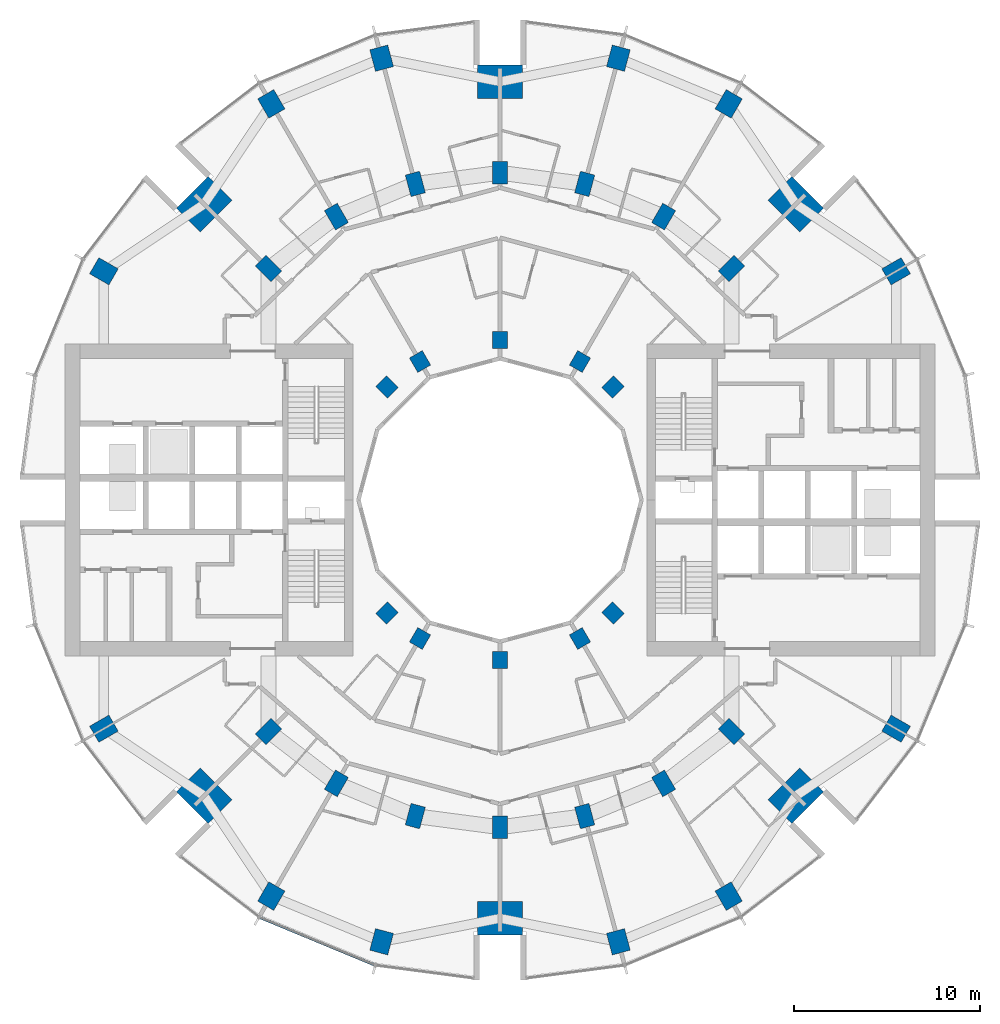
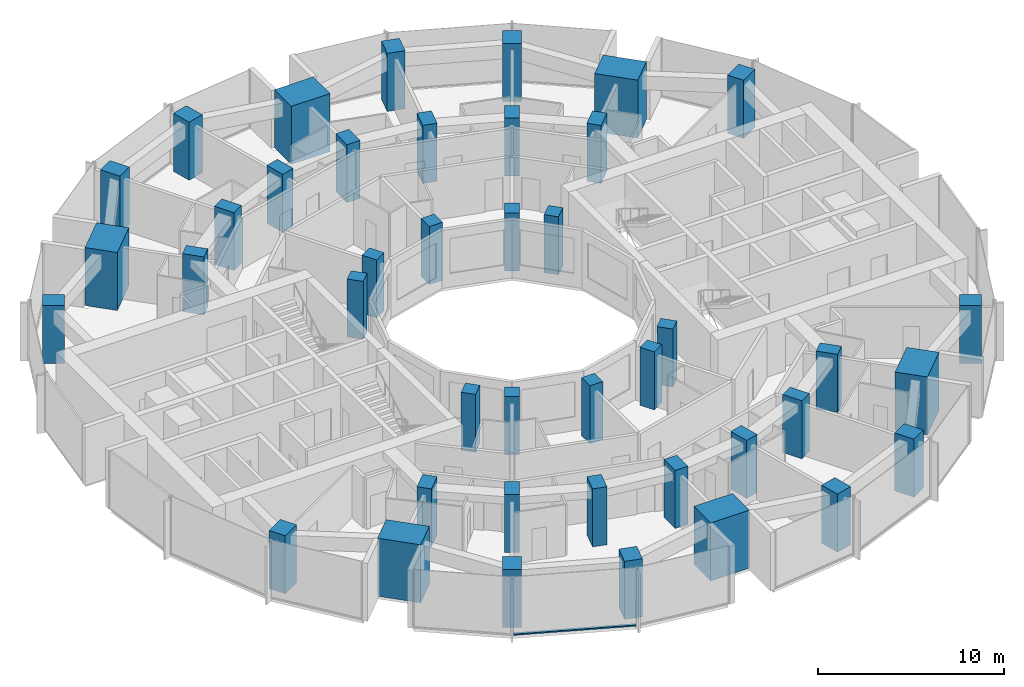
# One storey, part 1 of 15: 42 columns, 1 member, 1 element without a shape of its own.
"""IFC4 building model written with IfcOpenShell, lengths in metres."""

from ifc_helpers import new_model, si_unit, direction, frame, origin, origin_2d, place, context, subcontext, project, spatial, rectangle, extrude, material, layer, layer_set, material_profile, profile_set, type_object, element, aggregate, save


model = new_model("IFC4")

# Units and contexts
model_context = context("Model", 3, precision=1e-05, world=origin(), true_north=direction((0.0, 1.0)))
body_context = subcontext(model_context, "Body", "Model", "MODEL_VIEW")
ifc_project = project(units=[si_unit("LENGTHUNIT", "METRE"), si_unit("AREAUNIT", "SQUARE_METRE"), si_unit("VOLUMEUNIT", "CUBIC_METRE"), si_unit("PLANEANGLEUNIT", "RADIAN"), si_unit("MASSUNIT", "GRAM", prefix="KILO")], contexts=[model_context])

# Site, building, storey
site_placement = place(None, origin())
site = spatial("IfcSite", under=ifc_project, at=site_placement, CompositionType="ELEMENT")
building_placement = place(site_placement, origin())
building = spatial("IfcBuilding", under=site, at=building_placement, Name="Torre Brocal", CompositionType="ELEMENT")
storey_placement = place(building_placement, frame((0.0, 0.0, 32.60009765625)))
storey = spatial("IfcBuildingStorey", under=building, at=storey_placement, Name="L06", CompositionType="ELEMENT", Elevation=32.60009765625)

# Columns
ifc_material_1 = material(Name="Concrete C80", Category="concrete")
ifc_material_profile_1 = material_profile(ifc_material_1, rectangle(XDim=1.199951171875, YDim=1.0, at=origin_2d()), Name="RC 1200X1000")
ifc_profile_set_1 = profile_set([ifc_material_profile_1], Name="Concrete C80")
column_type_1 = type_object("IfcColumnType", Name="RC COLUMN 1200X1000 C80", PredefinedType="COLUMN", material=ifc_profile_set_1)
for number, where, z_axis, x_axis, name in (
    (1, (101.30419921875, 87.300048828125, 0.0), (0.0, 0.0, 1.0), (0.866025403784, 0.5, 0.0), "Column C-O02"),
    (2, (92.300048828125, 96.30419921875, 0.0), (0.0, 0.0, 1.0), (0.5, 0.866025403784, 0.0), "Column C-O04"),
    (3, (86.366943359375, 98.76171875, 0.0), (0.0, 0.0, 1.0), (0.258819045103, 0.965925826289, 0.0), "Column C-O05"),
    (4, (73.633056640625, 98.76171875, 0.0), (0.0, 0.0, 1.0), (-0.258819045103, 0.965925826289, 0.0), "Column C-O07"),
    (5, (67.699951171875, 96.30419921875, 0.0), (0.0, 0.0, 1.0), (-0.5, 0.866025403784, 0.0), "Column C-O08"),
    (6, (58.69580078125, 87.300048828125, 0.0), (0.0, 0.0, 1.0), (-0.866025403784, 0.5, 0.0), "Column C-O10"),
    (7, (58.69580078125, 62.699951171875, 0.0), (0.0, 0.0, 1.0), (-0.866025403784, -0.5, 0.0), "Column C-O14"),
    (8, (67.699951171875, 53.69580078125, 0.0), (0.0, 0.0, 1.0), (-0.5, -0.866025403784, 0.0), "Column C-O16"),
    (9, (73.633056640625, 51.23828125, 0.0), (0.0, 0.0, 1.0), (-0.258819045103, -0.965925826289, 0.0), "Column C-O17"),
    (10, (86.366943359375, 51.23828125, 0.0), (0.0, 0.0, 1.0), (0.258819045103, -0.965925826289, 0.0), "Column C-O19"),
    (11, (92.300048828125, 53.69580078125, 0.0), (0.0, 0.0, 1.0), (0.5, -0.866025403784, 0.0), "Column C-O20"),
    (12, (101.30419921875, 62.699951171875, 0.0), (0.0, 0.0, 1.0), (0.866025403784, -0.5, 0.0), "Column C-O22"),
):
    element("IfcColumn", number, at=place(storey_placement, frame(where, z_axis=z_axis, x_axis=x_axis)), inside=storey, type_object=column_type_1, Name=name, PredefinedType="COLUMN", context=body_context, shape_type="SweptSolid", body=[
        extrude(rectangle(XDim=1.199951171875, YDim=1.0, at=origin_2d()), origin(), (0.0, 0.0, 1.0), 3.7998046875),
    ])
ifc_material_2 = material(Name="Concrete C80", Category="concrete")
ifc_material_profile_2 = material_profile(ifc_material_2, rectangle(XDim=1.199951171875, YDim=0.800048828125, at=origin_2d()), Name="RC 1200X800")
ifc_profile_set_2 = profile_set([ifc_material_profile_2], Name="Concrete C80")
column_type_2 = type_object("IfcColumnType", Name="RC COLUMN 1200X800 C80", PredefinedType="COLUMN", material=ifc_profile_set_2)
for number, where, z_axis, x_axis, name in (
    (13, (92.445068359375, 87.445068359375, 0.0), (0.0, 0.0, 1.0), (0.707106781187, 0.707106781187, 0.0), "Column C-M03"),
    (14, (88.800048828125, 90.241943359375, 0.0), (0.0, 0.0, 1.0), (0.5, 0.866025403784, 0.0), "Column C-M04"),
    (15, (84.55517578125, 92.000244140625, 0.0), (0.0, 0.0, 1.0), (0.258819045103, 0.965925826289, 0.0), "Column C-M05"),
    (16, (80.0, 92.60009765625, 0.0), (0.0, 0.0, 1.0), (0.0, 1.0, 0.0), "Column C-M06"),
    (17, (75.44482421875, 92.000244140625, 0.0), (0.0, 0.0, 1.0), (-0.258819045103, 0.965925826289, 0.0), "Column C-M07"),
    (18, (71.199951171875, 90.241943359375, 0.0), (0.0, 0.0, 1.0), (-0.5, 0.866025403784, 0.0), "Column C-M08"),
    (19, (67.554931640625, 87.445068359375, 0.0), (0.0, 0.0, 1.0), (-0.707106781187, 0.707106781187, 0.0), "Column C-M09"),
    (20, (67.554931640625, 62.554931640625, 0.0), (0.0, 0.0, 1.0), (-0.707106781187, -0.707106781187, 0.0), "Column C-M15"),
    (21, (71.199951171875, 59.758056640625, 0.0), (0.0, 0.0, 1.0), (-0.5, -0.866025403784, 0.0), "Column C-M16"),
    (22, (75.44482421875, 57.999755859375, 0.0), (0.0, 0.0, 1.0), (-0.258819045103, -0.965925826289, 0.0), "Column C-M17"),
    (23, (80.0, 57.39990234375, 0.0), (0.0, 0.0, 1.0), (0.0, -1.0, 0.0), "Column C-M18"),
    (24, (84.55517578125, 57.999755859375, 0.0), (0.0, 0.0, 1.0), (0.258819045103, -0.965925826289, 0.0), "Column C-M19"),
    (25, (88.800048828125, 59.758056640625, 0.0), (0.0, 0.0, 1.0), (0.5, -0.866025403784, 0.0), "Column C-M20"),
    (26, (92.445068359375, 62.554931640625, 0.0), (0.0, 0.0, 1.0), (0.707106781187, -0.707106781187, 0.0), "Column C-M21"),
):
    element("IfcColumn", number, at=place(storey_placement, frame(where, z_axis=z_axis, x_axis=x_axis)), inside=storey, type_object=column_type_2, Name=name, PredefinedType="COLUMN", context=body_context, shape_type="SweptSolid", body=[
        extrude(rectangle(XDim=1.199951171875, YDim=0.800048828125, at=origin_2d()), origin(), (0.0, 0.0, 1.0), 3.7998046875),
    ])
ifc_material_3 = material(Name="Concrete C80", Category="concrete")
ifc_material_profile_3 = material_profile(ifc_material_3, rectangle(XDim=1.800048828125, YDim=2.39990234375, at=origin_2d()), Name="RC 1800X2400")
ifc_profile_set_3 = profile_set([ifc_material_profile_3], Name="Concrete C80")
column_type_3 = type_object("IfcColumnType", Name="RC COLUMN 1800X2400 C80", PredefinedType="COLUMN", material=ifc_profile_set_3)
for number, where, z_axis, x_axis, name in (
    (27, (95.909912109375, 90.909912109375, 0.0), (0.0, 0.0, 1.0), (0.707106781187, 0.707106781187, 0.0), "Column MC-1"),
    (28, (80.0, 97.5, 0.0), (0.0, 0.0, 1.0), (0.0, 1.0, 0.0), "Column MC-2"),
    (29, (64.090087890625, 90.909912109375, 0.0), (0.0, 0.0, 1.0), (-0.707106781187, 0.707106781187, 0.0), "Column MC-3"),
    (30, (64.090087890625, 59.090087890625, 0.0), (0.0, 0.0, 1.0), (-0.707106781187, -0.707106781187, 0.0), "Column MC-5"),
    (31, (80.0, 52.5, 0.0), (0.0, 0.0, 1.0), (0.0, -1.0, 0.0), "Column MC-6"),
    (32, (95.909912109375, 59.090087890625, 0.0), (0.0, 0.0, 1.0), (0.707106781187, -0.707106781187, 0.0), "Column MC-7"),
):
    element("IfcColumn", number, at=place(storey_placement, frame(where, z_axis=z_axis, x_axis=x_axis)), inside=storey, type_object=column_type_3, Name=name, PredefinedType="COLUMN", context=body_context, shape_type="SweptSolid", body=[
        extrude(rectangle(XDim=1.800048828125, YDim=2.39990234375, at=origin_2d()), origin(), (0.0, 0.0, 1.0), 3.7998046875),
    ])
ifc_material_4 = material(Name="Concrete C80", Category="concrete")
ifc_material_profile_4 = material_profile(ifc_material_4, rectangle(XDim=0.89990234375, YDim=0.800048828125, at=origin_2d()), Name="RC 900X800")
ifc_profile_set_4 = profile_set([ifc_material_profile_4], Name="Concrete C80")
column_type_4 = type_object("IfcColumnType", Name="RC COLUMN 900X800 C80", PredefinedType="COLUMN", material=ifc_profile_set_4)
for number, where, z_axis, x_axis, name in (
    (33, (86.0810546875, 81.0810546875, 0.0), (0.0, 0.0, 1.0), (0.707106781187, 0.707106781187, 0.0), "Column C-I03"),
    (34, (84.300048828125, 82.44775390625, 0.0), (0.0, 0.0, 1.0), (0.5, 0.866025403784, 0.0), "Column C-I04"),
    (35, (80.0, 83.60009765625, 0.0), (0.0, 0.0, 1.0), (0.0, 1.0, 0.0), "Column C-I06"),
    (36, (75.699951171875, 82.44775390625, 0.0), (0.0, 0.0, 1.0), (-0.5, 0.866025403784, 0.0), "Column C-I08"),
    (37, (73.9189453125, 81.0810546875, 0.0), (0.0, 0.0, 1.0), (-0.707106781187, 0.707106781187, 0.0), "Column C-I09"),
    (38, (73.9189453125, 68.9189453125, 0.0), (0.0, 0.0, 1.0), (-0.707106781187, -0.707106781187, 0.0), "Column C-I15"),
    (39, (75.699951171875, 67.55224609375, 0.0), (0.0, 0.0, 1.0), (-0.5, -0.866025403784, 0.0), "Column C-I16"),
    (40, (80.0, 66.39990234375, 0.0), (0.0, 0.0, 1.0), (0.0, -1.0, 0.0), "Column C-I18"),
    (41, (84.300048828125, 67.55224609375, 0.0), (0.0, 0.0, 1.0), (0.5, -0.866025403784, 0.0), "Column C-I20"),
    (42, (86.0810546875, 68.9189453125, 0.0), (0.0, 0.0, 1.0), (0.707106781187, -0.707106781187, 0.0), "Column C-I21"),
):
    element("IfcColumn", number, at=place(storey_placement, frame(where, z_axis=z_axis, x_axis=x_axis)), inside=storey, type_object=column_type_4, Name=name, PredefinedType="COLUMN", context=body_context, shape_type="SweptSolid", body=[
        extrude(rectangle(XDim=0.89990234375, YDim=0.800048828125, at=origin_2d()), origin(), (0.0, 0.0, 1.0), 3.7998046875),
    ])

# Curtain wall, member
ifc_material_5 = material(Name="Aluminium and glass", Category="aluminium")
ifc_layer = layer(ifc_material_5, 0.199951171875)
ifc_layer_set = layer_set([ifc_layer], Name="Aluminium and glass")
curtain_wall_type = type_object("IfcCurtainWallType", Name="CW-1 CURTAIN WALL 3800 HIGH", PredefinedType="NOTDEFINED", material=ifc_layer_set)
curtain_wall_placement = place(storey_placement, origin())
curtain_wall = element("IfcCurtainWall", 43, at=curtain_wall_placement, inside=storey, type_object=curtain_wall_type, Name="CW-1 RUN 17", PredefinedType="NOTDEFINED")
ifc_material_6 = material(Name="Aluminium, dark anodised", Category="aluminium")
ifc_material_profile_5 = material_profile(ifc_material_6, rectangle(XDim=0.159912109375, YDim=0.080078125, at=origin_2d()), Name="CW-1 TRANSOM 160X80")
ifc_profile_set_5 = profile_set([ifc_material_profile_5], Name="Aluminium, dark anodised")
member_type = type_object("IfcMemberType", Name="CW-1 TRANSOM 160X80", PredefinedType="USERDEFINED", material=ifc_profile_set_5)
member_placement = place(storey_placement, frame((67.10595703125, 52.547607421875, 0.039794921875), z_axis=(0.923887344364, -0.38266457234, 0.0), x_axis=(0.38266457234, 0.923887344364, 0.0)))
member = element("IfcMember", 44, at=member_placement, type_object=member_type, Name="CW1-1 transom 1.1", ObjectType="TRANSOM", PredefinedType="USERDEFINED", context=body_context, shape_type="SweptSolid", body=[
    extrude(rectangle(XDim=0.159912109375, YDim=0.080078125, at=origin_2d()), origin(), (0.0, 0.0, 1.0), 6.640869140625),
])
aggregate(curtain_wall, [member])

save(model, "model.ifc")
